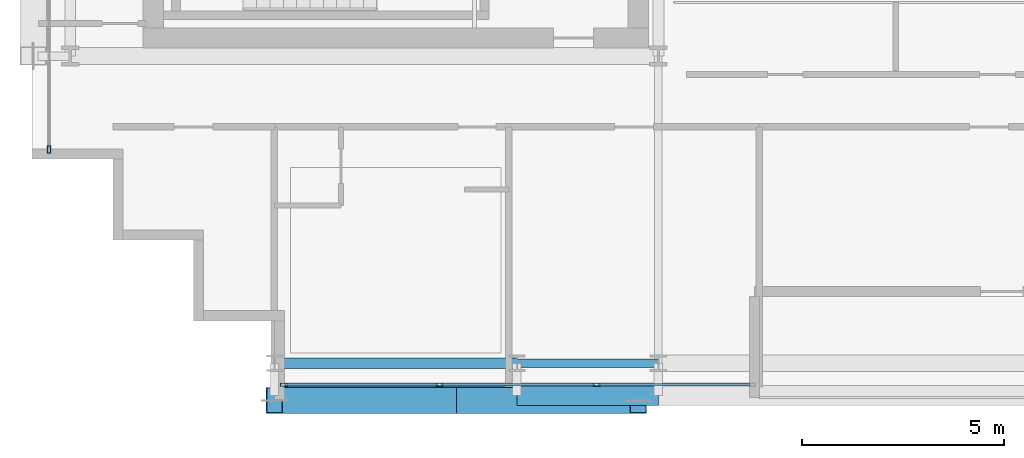
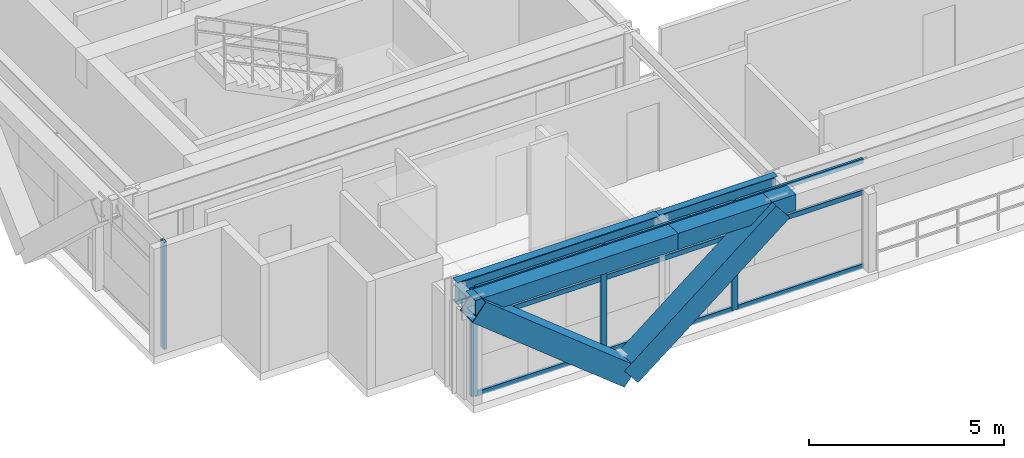
# One storey, part 2 of 32: 15 members, 4 beams, 2 elements without a shape of their own.
"""IFC4 building model written with IfcOpenShell, lengths in metres."""

from ifc_helpers import new_model, si_unit, direction, frame, origin, origin_2d, place, context, subcontext, project, spatial, hollow_rectangle, i_section, extrude, source, transform, mapped, material, layer, layer_set, material_profile, profile_set, type_object, element, aggregate, save


model = new_model("IFC4")

# Units and contexts
model_context = context("Model", 3, precision=1e-05, world=origin(), true_north=direction((0.0, 1.0)))
body_context = subcontext(model_context, "Body", "Model", "MODEL_VIEW")
ifc_project = project(units=[si_unit("LENGTHUNIT", "METRE"), si_unit("AREAUNIT", "SQUARE_METRE"), si_unit("VOLUMEUNIT", "CUBIC_METRE"), si_unit("PLANEANGLEUNIT", "RADIAN"), si_unit("MASSUNIT", "GRAM", prefix="KILO")], contexts=[model_context])

# Site, building, storey
site_placement = place(None, origin())
site = spatial("IfcSite", under=ifc_project, at=site_placement, CompositionType="ELEMENT")
building_placement = place(site_placement, origin())
building = spatial("IfcBuilding", under=site, at=building_placement, Name="Ocotamira Hotel", CompositionType="ELEMENT")
storey_placement = place(building_placement, frame((0.0, 0.0, 184.800048828125)))
storey = spatial("IfcBuildingStorey", under=building, at=storey_placement, Name="L46", CompositionType="ELEMENT", Elevation=184.800048828125)

# Beams
ifc_material_1 = material(Name="Steel ASTM A992 Grade 50", Category="steel")
ifc_material_profile_1 = material_profile(ifc_material_1, i_section(OverallWidth=0.256103515625, OverallDepth=0.693115234375, WebThickness=0.014404296875, FlangeThickness=0.023681640625, FilletRadius=0.01611328125, at=origin_2d()), Name="W27X114")
ifc_profile_set_1 = profile_set([ifc_material_profile_1], Name="Steel ASTM A992 Grade 50")
beam_type_1 = type_object("IfcBeamType", Name="BM-PRIM-W27X114", PredefinedType="BEAM", material=ifc_profile_set_1)
shared_shape_1 = source(origin(), body_context, "Body", "SweptSolid", [
    extrude(i_section(OverallWidth=0.256103515625, OverallDepth=0.693115234375, WebThickness=0.014404296875, FlangeThickness=0.023681640625, FilletRadius=0.01611328125, at=origin_2d()), origin(), (0.0, 0.0, 1.0), 6.0),
])
beam_1_placement = place(storey_placement, frame((14.0, 6.949951171875, 3.0234375), z_axis=(1.0, 0.0, 0.0), x_axis=(0.0, 1.0, 0.0)))
element("IfcBeam", 1, at=beam_1_placement, inside=storey, type_object=beam_type_1, Name="L46 Girder Y6.95 X14-20", PredefinedType="BEAM", context=body_context, shape_type="MappedRepresentation", body=[
    mapped(shared_shape_1, transform((0.0, 0.0, 0.0), scale=1.0)),
])
ifc_material_profile_2 = material_profile(ifc_material_1, i_section(OverallWidth=0.2099609375, OverallDepth=0.537109375, WebThickness=0.010986328125, FlangeThickness=0.017333984375, FilletRadius=0.012939453125, at=origin_2d()), Name="W21X68")
ifc_profile_set_2 = profile_set([ifc_material_profile_2], Name="Steel ASTM A992 Grade 50")
beam_type_2 = type_object("IfcBeamType", Name="BM-SEC-W21X68", PredefinedType="JOIST", material=ifc_profile_set_2)
shared_shape_2 = source(origin(), body_context, "Body", "SweptSolid", [
    extrude(i_section(OverallWidth=0.2099609375, OverallDepth=0.537109375, WebThickness=0.010986328125, FlangeThickness=0.017333984375, FilletRadius=0.012939453125, at=origin_2d()), origin(), (0.0, 0.0, 1.0), 3.5),
])
beam_2_placement = place(storey_placement, frame((20.0, 6.949951171875, 3.1015625), z_axis=(1.0, 0.0, 0.0), x_axis=(0.0, 1.0, 0.0)))
element("IfcBeam", 2, at=beam_2_placement, inside=storey, type_object=beam_type_2, Name="L46 Girder Y6.95 X20-23.5", PredefinedType="JOIST", context=body_context, shape_type="MappedRepresentation", body=[
    mapped(shared_shape_2, transform((0.0, 0.0, 0.0), scale=1.0)),
])
ifc_material_2 = material(Name="Steel ASTM A500 Grade C", Category="steel")
ifc_material_profile_3 = material_profile(ifc_material_2, hollow_rectangle(XDim=0.5, YDim=0.5, WallThickness=0.02001953125, at=origin_2d()), Name="HSS500X500X20")
ifc_profile_set_3 = profile_set([ifc_material_profile_3], Name="Steel ASTM A500 Grade C")
beam_type_3 = type_object("IfcBeamType", Name="BM-SPAN-HSS500", PredefinedType="USERDEFINED", material=ifc_profile_set_3)
shared_shape_3 = source(origin(), body_context, "Body", "SweptSolid", [
    extrude(hollow_rectangle(XDim=0.5, YDim=0.5, WallThickness=0.02001953125, at=origin_2d()), origin(), (0.0, 0.0, 1.0), 6.0),
])
beam_3_placement = place(storey_placement, frame((14.0, 6.14990234375, 3.119873046875), z_axis=(1.0, 0.0, 0.0), x_axis=(0.0, 1.0, 0.0)))
element("IfcBeam", 3, at=beam_3_placement, inside=storey, type_object=beam_type_3, Name="L46 Edge Spandrel S X14-20", ObjectType="SPANDREL", PredefinedType="USERDEFINED", context=body_context, shape_type="MappedRepresentation", body=[
    mapped(shared_shape_3, transform((0.0, 0.0, 0.0), scale=1.0)),
])
shared_shape_4 = source(origin(), body_context, "Body", "SweptSolid", [
    extrude(hollow_rectangle(XDim=0.5, YDim=0.5, WallThickness=0.02001953125, at=origin_2d()), origin(), (0.0, 0.0, 1.0), 3.5),
])
beam_4_placement = place(storey_placement, frame((20.0, 6.14990234375, 3.119873046875), z_axis=(1.0, 0.0, 0.0), x_axis=(0.0, 1.0, 0.0)))
element("IfcBeam", 4, at=beam_4_placement, inside=storey, type_object=beam_type_3, Name="L46 Edge Spandrel S X20-23.5", ObjectType="SPANDREL", PredefinedType="USERDEFINED", context=body_context, shape_type="MappedRepresentation", body=[
    mapped(shared_shape_4, transform((0.0, 0.0, 0.0), scale=1.0)),
])

# Members
ifc_material_3 = material(Name="Pale-metal coated steel ASTM A913 Grade 65", Category="steel")
ifc_material_profile_4 = material_profile(ifc_material_3, hollow_rectangle(XDim=0.64990234375, YDim=0.64990234375, WallThickness=0.02197265625, at=origin_2d()), Name="BOX650X650X22")
ifc_profile_set_4 = profile_set([ifc_material_profile_4], Name="Pale-metal coated steel ASTM A913 Grade 65")
member_type_1 = type_object("IfcMemberType", Name="MEM-EXO-BOX650", PredefinedType="BRACE", material=ifc_profile_set_4)
shared_shape_5 = source(origin(), body_context, "Body", "SweptSolid", [
    extrude(hollow_rectangle(XDim=0.64990234375, YDim=0.64990234375, WallThickness=0.02197265625, at=origin_2d()), origin(), (0.0, 0.0, 1.0), 5.7626953125),
])
for number, where, z_axis, x_axis, name in (
    (5, (18.5, 6.030029296875, -0.47998046875), (-0.780881208953, 0.0, 0.624679547852), (0.0, -1.0, 0.0), "L46 Exoskeleton Diagrid S0.1"),
    (6, (18.5, 6.030029296875, -0.47998046875), (0.780881208953, 0.0, 0.624679547852), (0.0, 1.0, 0.0), "L46 Exoskeleton Diagrid S0.2"),
):
    element("IfcMember", number, at=place(storey_placement, frame(where, z_axis=z_axis, x_axis=x_axis)), inside=storey, type_object=member_type_1, Name=name, PredefinedType="BRACE", context=body_context, shape_type="MappedRepresentation", body=[
        mapped(shared_shape_5, transform((0.0, 0.0, 0.0), scale=1.0)),
    ])

# Curtain wall, members
ifc_material_4 = material(Name="Anodised pale-metal aluminium and solar glass", Category="aluminium")
ifc_layer = layer(ifc_material_4, 0.199951171875)
ifc_layer_set = layer_set([ifc_layer], Name="Anodised pale-metal aluminium and solar glass")
curtain_wall_type = type_object("IfcCurtainWallType", Name="CW-SYS4-Z3", PredefinedType="NOTDEFINED", material=ifc_layer_set)
curtain_wall_1_placement = place(storey_placement, origin())
curtain_wall_1 = element("IfcCurtainWall", 7, at=curtain_wall_1_placement, inside=storey, type_object=curtain_wall_type, Name="L46 Curtain Wall CW-4 CW-L46-S1", PredefinedType="NOTDEFINED")
ifc_material_5 = material(Name="Anodised pale-metal aluminium 6063-T6", Category="aluminium")
ifc_material_profile_5 = material_profile(ifc_material_5, hollow_rectangle(XDim=0.080078125, YDim=0.179931640625, WallThickness=0.006103515625, at=origin_2d()), Name="HSS180X80X6")
ifc_profile_set_5 = profile_set([ifc_material_profile_5], Name="Anodised pale-metal aluminium 6063-T6")
member_type_2 = type_object("IfcMemberType", Name="CWM-180X75", PredefinedType="MULLION", material=ifc_profile_set_5)
shared_shape_6 = source(origin(), body_context, "Body", "SweptSolid", [
    extrude(hollow_rectangle(XDim=0.080078125, YDim=0.179931640625, WallThickness=0.006103515625, at=origin_2d()), origin(), (0.0, 0.0, 1.0), 3.369873046875),
])
member_1_placement = place(storey_placement, frame((14.239990234375, 6.419921875, 0.0), z_axis=(0.0, 0.0, 1.0), x_axis=(0.0, 1.0, 0.0)))
member_1 = element("IfcMember", 8, at=member_1_placement, type_object=member_type_2, Name="CW-4 mullion 1", PredefinedType="MULLION", context=body_context, shape_type="MappedRepresentation", body=[
    mapped(shared_shape_6, transform((0.0, 0.0, 0.0), scale=1.0)),
])
member_2_placement = place(storey_placement, frame((18.083251953125, 6.419921875, 0.0), z_axis=(0.0, 0.0, 1.0), x_axis=(0.0, 1.0, 0.0)))
member_2 = element("IfcMember", 9, at=member_2_placement, type_object=member_type_2, Name="CW-4 mullion 2", PredefinedType="MULLION", context=body_context, shape_type="MappedRepresentation", body=[
    mapped(shared_shape_6, transform((0.0, 0.0, 0.0), scale=1.0)),
])
member_3_placement = place(storey_placement, frame((21.966552734375, 6.419921875, 0.0), z_axis=(0.0, 0.0, 1.0), x_axis=(0.0, 1.0, 0.0)))
member_3 = element("IfcMember", 10, at=member_3_placement, type_object=member_type_2, Name="CW-4 mullion 3", PredefinedType="MULLION", context=body_context, shape_type="MappedRepresentation", body=[
    mapped(shared_shape_6, transform((0.0, 0.0, 0.0), scale=1.0)),
])

# Curtain wall, member
curtain_wall_2_placement = place(storey_placement, origin())
curtain_wall_2 = element("IfcCurtainWall", 11, at=curtain_wall_2_placement, inside=storey, type_object=curtain_wall_type, Name="L46 Curtain Wall CW-4 CW-L46-W", PredefinedType="NOTDEFINED")
member_4_placement = place(storey_placement, frame((8.419921875, 12.239990234375, 0.0), z_axis=(0.0, 0.0, 1.0), x_axis=(-1.0, 0.0, 0.0)))
member_4 = element("IfcMember", 12, at=member_4_placement, type_object=member_type_2, Name="CW-4 mullion 1", PredefinedType="MULLION", context=body_context, shape_type="MappedRepresentation", body=[
    mapped(shared_shape_6, transform((0.0, 0.0, 0.0), scale=1.0)),
])
aggregate(curtain_wall_2, [member_4])

# Member
ifc_material_profile_6 = material_profile(ifc_material_5, hollow_rectangle(XDim=0.074951171875, YDim=0.14990234375, WallThickness=0.006103515625, at=origin_2d()), Name="HSS150X75X6")
ifc_profile_set_6 = profile_set([ifc_material_profile_6], Name="Anodised pale-metal aluminium 6063-T6")
member_type_3 = type_object("IfcMemberType", Name="CWT-150X75", PredefinedType="USERDEFINED", material=ifc_profile_set_6)
shared_shape_7 = source(origin(), body_context, "Body", "SweptSolid", [
    extrude(hollow_rectangle(XDim=0.074951171875, YDim=0.14990234375, WallThickness=0.006103515625, at=origin_2d()), origin(), (0.0, 0.0, 1.0), 3.76318359375),
])
member_5_placement = place(storey_placement, frame((14.280029296875, 6.419921875, 0.037353515625), z_axis=(1.0, 0.0, 0.0), x_axis=(0.0, 1.0, 0.0)))
member_5 = element("IfcMember", 13, at=member_5_placement, type_object=member_type_3, Name="CW-4 transom 1.1", ObjectType="TRANSOM", PredefinedType="USERDEFINED", context=body_context, shape_type="MappedRepresentation", body=[
    mapped(shared_shape_7, transform((0.0, 0.0, 0.0), scale=1.0)),
])

member_6_placement = place(storey_placement, frame((14.280029296875, 6.419921875, 2.349853515625), z_axis=(1.0, 0.0, 0.0), x_axis=(0.0, 1.0, 0.0)))
member_6 = element("IfcMember", 14, at=member_6_placement, type_object=member_type_3, Name="CW-4 transom 1.2", ObjectType="TRANSOM", PredefinedType="USERDEFINED", context=body_context, shape_type="MappedRepresentation", body=[
    mapped(shared_shape_7, transform((0.0, 0.0, 0.0), scale=1.0)),
])

member_7_placement = place(storey_placement, frame((14.280029296875, 6.419921875, 3.33251953125), z_axis=(1.0, 0.0, 0.0), x_axis=(0.0, 1.0, 0.0)))
member_7 = element("IfcMember", 15, at=member_7_placement, type_object=member_type_3, Name="CW-4 transom 1.3", ObjectType="TRANSOM", PredefinedType="USERDEFINED", context=body_context, shape_type="MappedRepresentation", body=[
    mapped(shared_shape_7, transform((0.0, 0.0, 0.0), scale=1.0)),
])

shared_shape_8 = source(origin(), body_context, "Body", "SweptSolid", [
    extrude(hollow_rectangle(XDim=0.074951171875, YDim=0.14990234375, WallThickness=0.006103515625, at=origin_2d()), origin(), (0.0, 0.0, 1.0), 3.803466796875),
])
member_8_placement = place(storey_placement, frame((18.123291015625, 6.419921875, 0.037353515625), z_axis=(1.0, 0.0, 0.0), x_axis=(0.0, 1.0, 0.0)))
member_8 = element("IfcMember", 16, at=member_8_placement, type_object=member_type_3, Name="CW-4 transom 2.1", ObjectType="TRANSOM", PredefinedType="USERDEFINED", context=body_context, shape_type="MappedRepresentation", body=[
    mapped(shared_shape_8, transform((0.0, 0.0, 0.0), scale=1.0)),
])

member_9_placement = place(storey_placement, frame((18.123291015625, 6.419921875, 2.349853515625), z_axis=(1.0, 0.0, 0.0), x_axis=(0.0, 1.0, 0.0)))
member_9 = element("IfcMember", 17, at=member_9_placement, type_object=member_type_3, Name="CW-4 transom 2.2", ObjectType="TRANSOM", PredefinedType="USERDEFINED", context=body_context, shape_type="MappedRepresentation", body=[
    mapped(shared_shape_8, transform((0.0, 0.0, 0.0), scale=1.0)),
])

member_10_placement = place(storey_placement, frame((18.123291015625, 6.419921875, 3.33251953125), z_axis=(1.0, 0.0, 0.0), x_axis=(0.0, 1.0, 0.0)))
member_10 = element("IfcMember", 18, at=member_10_placement, type_object=member_type_3, Name="CW-4 transom 2.3", ObjectType="TRANSOM", PredefinedType="USERDEFINED", context=body_context, shape_type="MappedRepresentation", body=[
    mapped(shared_shape_8, transform((0.0, 0.0, 0.0), scale=1.0)),
])

shared_shape_9 = source(origin(), body_context, "Body", "SweptSolid", [
    extrude(hollow_rectangle(XDim=0.074951171875, YDim=0.14990234375, WallThickness=0.006103515625, at=origin_2d()), origin(), (0.0, 0.0, 1.0), 3.763427734375),
])
member_11_placement = place(storey_placement, frame((22.006591796875, 6.419921875, 0.037353515625), z_axis=(1.0, 0.0, 0.0), x_axis=(0.0, 1.0, 0.0)))
member_11 = element("IfcMember", 19, at=member_11_placement, type_object=member_type_3, Name="CW-4 transom 3.1", ObjectType="TRANSOM", PredefinedType="USERDEFINED", context=body_context, shape_type="MappedRepresentation", body=[
    mapped(shared_shape_9, transform((0.0, 0.0, 0.0), scale=1.0)),
])

member_12_placement = place(storey_placement, frame((22.006591796875, 6.419921875, 2.349853515625), z_axis=(1.0, 0.0, 0.0), x_axis=(0.0, 1.0, 0.0)))
member_12 = element("IfcMember", 20, at=member_12_placement, type_object=member_type_3, Name="CW-4 transom 3.2", ObjectType="TRANSOM", PredefinedType="USERDEFINED", context=body_context, shape_type="MappedRepresentation", body=[
    mapped(shared_shape_9, transform((0.0, 0.0, 0.0), scale=1.0)),
])

member_13_placement = place(storey_placement, frame((22.006591796875, 6.419921875, 3.33251953125), z_axis=(1.0, 0.0, 0.0), x_axis=(0.0, 1.0, 0.0)))
member_13 = element("IfcMember", 21, at=member_13_placement, type_object=member_type_3, Name="CW-4 transom 3.3", ObjectType="TRANSOM", PredefinedType="USERDEFINED", context=body_context, shape_type="MappedRepresentation", body=[
    mapped(shared_shape_9, transform((0.0, 0.0, 0.0), scale=1.0)),
])

aggregate(curtain_wall_1, [member_1, member_2, member_3, member_5, member_6, member_7, member_8, member_9, member_10, member_11, member_12, member_13])

save(model, "model.ifc")
